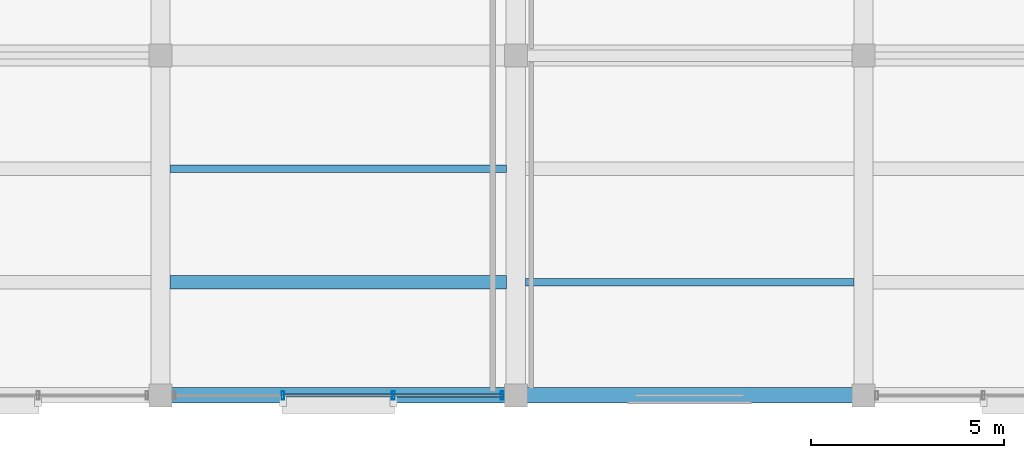
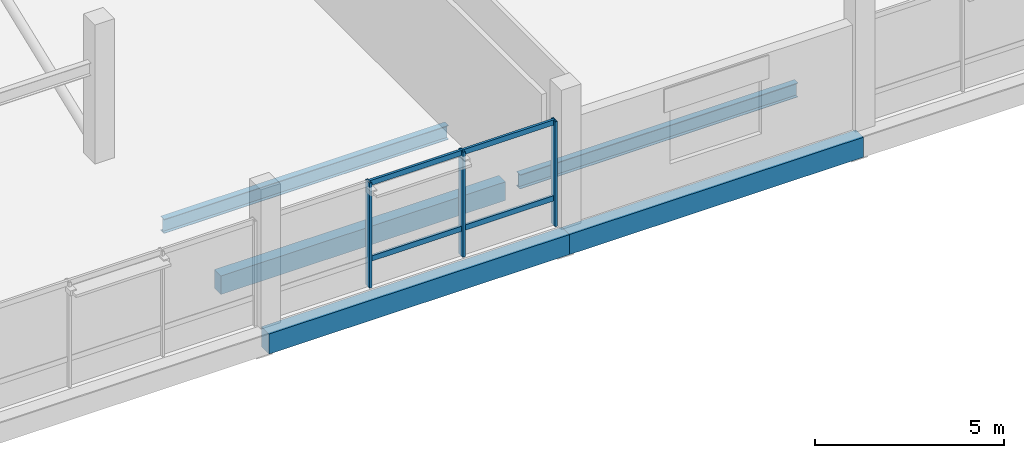
# One storey, part 24 of 77: 7 members, 5 beams, 1 element without a shape of its own.
"""IFC4 building model written with IfcOpenShell, lengths in metres."""

from ifc_helpers import new_model, si_unit, direction, frame, origin, origin_2d, place, context, subcontext, project, spatial, rectangle, hollow_rectangle, i_section, extrude, material, layer, layer_set, material_profile, profile_set, type_object, element, aggregate, save


model = new_model("IFC4")

# Units and contexts
model_context = context("Model", 3, precision=1e-05, world=origin(), true_north=direction((0.0, 1.0)))
body_context = subcontext(model_context, "Body", "Model", "MODEL_VIEW")
ifc_project = project(units=[si_unit("LENGTHUNIT", "METRE"), si_unit("AREAUNIT", "SQUARE_METRE"), si_unit("VOLUMEUNIT", "CUBIC_METRE"), si_unit("PLANEANGLEUNIT", "RADIAN"), si_unit("MASSUNIT", "GRAM", prefix="KILO")], contexts=[model_context])

# Site, building, storey
site_placement = place(None, origin())
site = spatial("IfcSite", under=ifc_project, at=site_placement, CompositionType="ELEMENT")
building_placement = place(site_placement, origin())
building = spatial("IfcBuilding", under=site, at=building_placement, Name="Meriwether Solvik Hall", CompositionType="ELEMENT")
storey_placement = place(building_placement, frame((0.0, 0.0, 9.89990234375)))
storey = spatial("IfcBuildingStorey", under=building, at=storey_placement, Name="L02", CompositionType="ELEMENT", Elevation=9.89990234375)

# Beams
ifc_material_1 = material(Name="Concrete C40/50", Category="concrete")
ifc_material_profile_1 = material_profile(ifc_material_1, rectangle(XDim=0.35009765625, YDim=0.60009765625, at=origin_2d()), Name="RCB-350X600")
ifc_profile_set_1 = profile_set([ifc_material_profile_1], Name="Concrete C40/50")
beam_type_1 = type_object("IfcBeamType", Name="BM-RC-350X600", PredefinedType="JOIST", material=ifc_profile_set_1)
beam_1_placement = place(storey_placement, frame((68.844970703125, 8.13330078125, -0.6298828125), z_axis=(1.0, 0.0, 0.0), x_axis=(0.0, 1.0, 0.0)))
element("IfcBeam", 1, at=beam_1_placement, inside=storey, type_object=beam_type_1, Name="Secondary Floor Joist 8/A_J1 (L02)", PredefinedType="JOIST", context=body_context, shape_type="SweptSolid", body=[
    extrude(rectangle(XDim=0.35009765625, YDim=0.60009765625, at=origin_2d()), origin(), (0.0, 0.0, 1.0), 8.7099609375),
])
ifc_material_2 = material(Name="Concrete C40/50", Category="concrete")
ifc_material_profile_2 = material_profile(ifc_material_2, rectangle(XDim=0.39990234375, YDim=0.64990234375, at=origin_2d()), Name="RCB-400X650")
ifc_profile_set_2 = profile_set([ifc_material_profile_2], Name="Concrete C40/50")
beam_type_2 = type_object("IfcBeamType", Name="BM-RC-400X650", PredefinedType="SPANDREL", material=ifc_profile_set_2)
beam_2_placement = place(storey_placement, frame((68.60009765625, 5.199951171875, -0.65478515625), z_axis=(1.0, 0.0, 0.0), x_axis=(0.0, 1.0, 0.0)))
element("IfcBeam", 2, at=beam_2_placement, inside=storey, type_object=beam_type_2, Name="Podium Girder A:8-9 (L02)", PredefinedType="SPANDREL", context=body_context, shape_type="SweptSolid", body=[
    extrude(rectangle(XDim=0.39990234375, YDim=0.64990234375, at=origin_2d()), origin(), (0.0, 0.0, 1.0), 9.199951171875),
])
beam_3_placement = place(storey_placement, frame((77.800048828125, 5.199951171875, -0.65478515625), z_axis=(1.0, 0.0, 0.0), x_axis=(0.0, 1.0, 0.0)))
element("IfcBeam", 3, at=beam_3_placement, inside=storey, type_object=beam_type_2, Name="Podium Girder A:9-10 (L02)", PredefinedType="SPANDREL", context=body_context, shape_type="SweptSolid", body=[
    extrude(rectangle(XDim=0.39990234375, YDim=0.64990234375, at=origin_2d()), origin(), (0.0, 0.0, 1.0), 9.0),
])
ifc_material_3 = material(Name="Steel A992 Grade 50", Category="steel")
ifc_material_profile_3 = material_profile(ifc_material_3, i_section(OverallWidth=0.19091796875, OverallDepth=0.45703125, WebThickness=0.009033203125, FlangeThickness=0.014404296875, at=origin_2d()), Name="W18X50")
ifc_profile_set_3 = profile_set([ifc_material_profile_3], Name="Steel A992 Grade 50")
beam_type_3 = type_object("IfcBeamType", Name="BM-STL-W18X50", PredefinedType="JOIST", material=ifc_profile_set_3)
beam_4_placement = place(storey_placement, frame((68.844970703125, 11.066650390625, -0.558349609375), z_axis=(1.0, 0.0, 0.0), x_axis=(0.0, 1.0, 0.0)))
element("IfcBeam", 4, at=beam_4_placement, inside=storey, type_object=beam_type_3, Name="Secondary Floor Joist 8/A_J2 (L02)", PredefinedType="JOIST", context=body_context, shape_type="SweptSolid", body=[
    extrude(i_section(OverallWidth=0.19091796875, OverallDepth=0.45703125, WebThickness=0.009033203125, FlangeThickness=0.014404296875, at=origin_2d()), origin(), (0.0, 0.0, 1.0), 8.7099609375),
])
beam_5_placement = place(storey_placement, frame((78.044921875, 8.13330078125, -0.558349609375), z_axis=(1.0, 0.0, 0.0), x_axis=(0.0, 1.0, 0.0)))
element("IfcBeam", 5, at=beam_5_placement, inside=storey, type_object=beam_type_3, Name="Secondary Floor Joist 9/A_J1 (L02)", PredefinedType="JOIST", context=body_context, shape_type="SweptSolid", body=[
    extrude(i_section(OverallWidth=0.19091796875, OverallDepth=0.45703125, WebThickness=0.009033203125, FlangeThickness=0.014404296875, at=origin_2d()), origin(), (0.0, 0.0, 1.0), 8.510009765625),
])

# Curtain wall, members
ifc_material_4 = material(Name="Thermally Broken Anodised Aluminium 6063-T6 and Low-E Glass", Category="aluminium")
ifc_layer = layer(ifc_material_4, 0.179931640625)
ifc_layer_set = layer_set([ifc_layer], Name="Thermally Broken Anodised Aluminium 6063-T6 and Low-E Glass")
curtain_wall_type = type_object("IfcCurtainWallType", Name="CW-SF-POD-C", PredefinedType="USERDEFINED", material=ifc_layer_set)
curtain_wall_placement = place(storey_placement, origin())
curtain_wall = element("IfcCurtainWall", 6, at=curtain_wall_placement, inside=storey, type_object=curtain_wall_type, Name="Curtain Wall wing_XA_8_1 (L02)", ObjectType="STICK STOREFRONT GLAZING", PredefinedType="USERDEFINED")
ifc_material_5 = material(Name="Anodised Aluminium 6063-T6", Category="aluminium")
ifc_material_profile_4 = material_profile(ifc_material_5, hollow_rectangle(XDim=0.074951171875, YDim=0.219970703125, WallThickness=0.005615234375, at=origin_2d()), Name="CWM-75X220")
ifc_profile_set_4 = profile_set([ifc_material_profile_4], Name="Anodised Aluminium 6063-T6")
member_type_1 = type_object("IfcMemberType", Name="CW-MUL-75X220", PredefinedType="MULLION", material=ifc_profile_set_4)
member_1_placement = place(storey_placement, frame((77.449951171875, 5.199951171875, 0.0), z_axis=(0.0, 0.0, 1.0), x_axis=(-1.0, 0.0, 0.0)))
member_1 = element("IfcMember", 7, at=member_1_placement, type_object=member_type_1, Name="Curtain Wall Mullion 1", PredefinedType="MULLION", context=body_context, shape_type="SweptSolid", body=[
    extrude(hollow_rectangle(XDim=0.074951171875, YDim=0.219970703125, WallThickness=0.005615234375, at=origin_2d()), origin(), (0.0, 0.0, 1.0), 3.39501953125),
])
member_2_placement = place(storey_placement, frame((74.62939453125, 5.199951171875, 0.0), z_axis=(0.0, 0.0, 1.0), x_axis=(-1.0, 0.0, 0.0)))
member_2 = element("IfcMember", 8, at=member_2_placement, type_object=member_type_1, Name="Curtain Wall Mullion 2", PredefinedType="MULLION", context=body_context, shape_type="SweptSolid", body=[
    extrude(hollow_rectangle(XDim=0.074951171875, YDim=0.219970703125, WallThickness=0.005615234375, at=origin_2d()), origin(), (0.0, 0.0, 1.0), 3.39501953125),
])
member_3_placement = place(storey_placement, frame((71.770751953125, 5.199951171875, 0.0), z_axis=(0.0, 0.0, 1.0), x_axis=(-1.0, 0.0, 0.0)))
member_3 = element("IfcMember", 9, at=member_3_placement, type_object=member_type_1, Name="Curtain Wall Mullion 3", PredefinedType="MULLION", context=body_context, shape_type="SweptSolid", body=[
    extrude(hollow_rectangle(XDim=0.074951171875, YDim=0.219970703125, WallThickness=0.005615234375, at=origin_2d()), origin(), (0.0, 0.0, 1.0), 3.39501953125),
])
ifc_material_6 = material(Name="Anodised Aluminium 6063-T6", Category="aluminium")
ifc_material_profile_5 = material_profile(ifc_material_6, hollow_rectangle(XDim=0.074951171875, YDim=0.169921875, WallThickness=0.005615234375, at=origin_2d()), Name="CWT-75X170")
ifc_profile_set_5 = profile_set([ifc_material_profile_5], Name="Anodised Aluminium 6063-T6")
member_type_2 = type_object("IfcMemberType", Name="CW-TRN-75X170", PredefinedType="USERDEFINED", material=ifc_profile_set_5)
member_4_placement = place(storey_placement, frame((77.449951171875, 5.199951171875, 0.880126953125), z_axis=(-1.0, 0.0, 0.0), x_axis=(0.0, -1.0, 0.0)))
member_4 = element("IfcMember", 10, at=member_4_placement, type_object=member_type_2, Name="Curtain Wall Transom 1-sill", ObjectType="TRANSOM", PredefinedType="USERDEFINED", context=body_context, shape_type="SweptSolid", body=[
    extrude(hollow_rectangle(XDim=0.074951171875, YDim=0.169921875, WallThickness=0.005615234375, at=origin_2d()), origin(), (0.0, 0.0, 1.0), 2.820556640625),
])
member_5_placement = place(storey_placement, frame((77.449951171875, 5.199951171875, 3.335205078125), z_axis=(-1.0, 0.0, 0.0), x_axis=(0.0, -1.0, 0.0)))
member_5 = element("IfcMember", 11, at=member_5_placement, type_object=member_type_2, Name="Curtain Wall Transom 1-head", ObjectType="TRANSOM", PredefinedType="USERDEFINED", context=body_context, shape_type="SweptSolid", body=[
    extrude(hollow_rectangle(XDim=0.074951171875, YDim=0.169921875, WallThickness=0.005615234375, at=origin_2d()), origin(), (0.0, 0.0, 1.0), 2.820556640625),
])
member_6_placement = place(storey_placement, frame((74.62939453125, 5.199951171875, 0.880126953125), z_axis=(-1.0, 0.0, 0.0), x_axis=(0.0, -1.0, 0.0)))
member_6 = element("IfcMember", 12, at=member_6_placement, type_object=member_type_2, Name="Curtain Wall Transom 2-sill", ObjectType="TRANSOM", PredefinedType="USERDEFINED", context=body_context, shape_type="SweptSolid", body=[
    extrude(hollow_rectangle(XDim=0.074951171875, YDim=0.169921875, WallThickness=0.005615234375, at=origin_2d()), origin(), (0.0, 0.0, 1.0), 2.858642578125),
])
member_7_placement = place(storey_placement, frame((74.62939453125, 5.199951171875, 3.335205078125), z_axis=(-1.0, 0.0, 0.0), x_axis=(0.0, -1.0, 0.0)))
member_7 = element("IfcMember", 13, at=member_7_placement, type_object=member_type_2, Name="Curtain Wall Transom 2-head", ObjectType="TRANSOM", PredefinedType="USERDEFINED", context=body_context, shape_type="SweptSolid", body=[
    extrude(hollow_rectangle(XDim=0.074951171875, YDim=0.169921875, WallThickness=0.005615234375, at=origin_2d()), origin(), (0.0, 0.0, 1.0), 2.858642578125),
])
aggregate(curtain_wall, [member_1, member_2, member_3, member_4, member_5, member_6, member_7])

save(model, "model.ifc")
